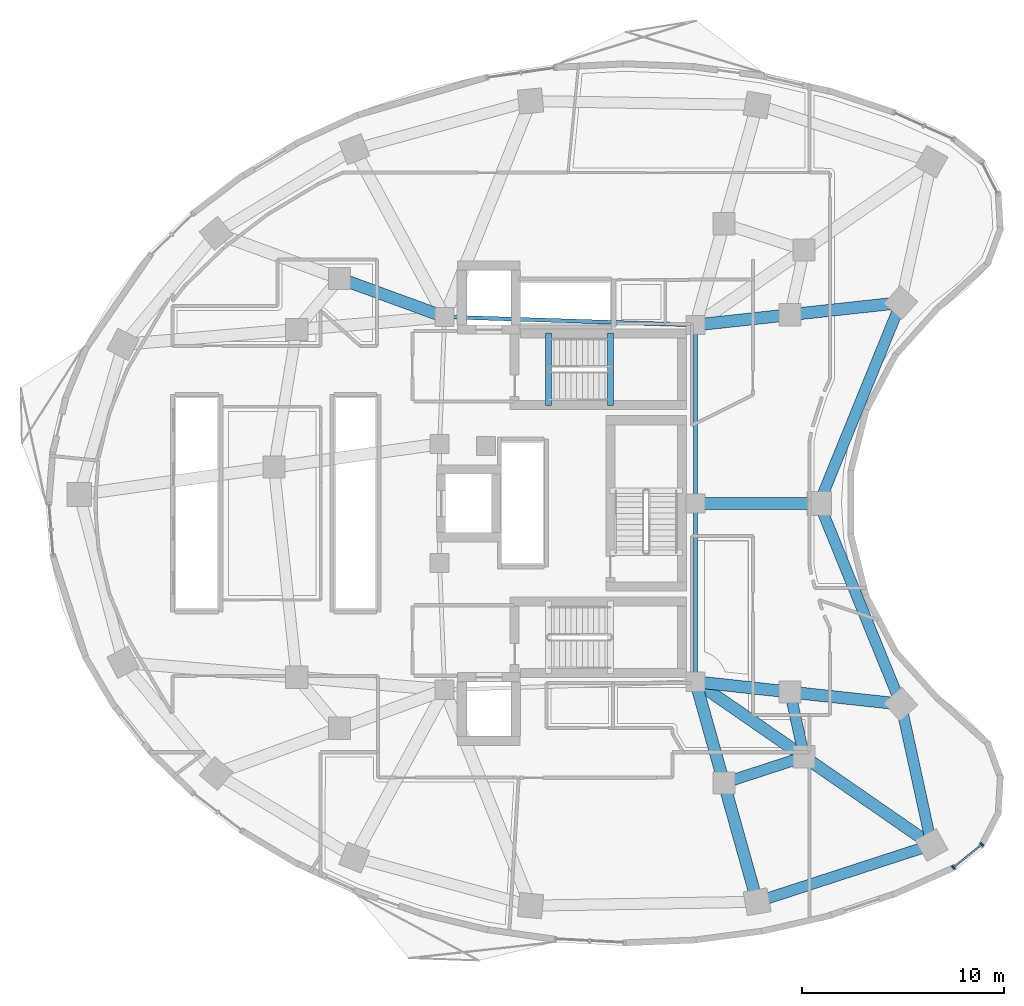
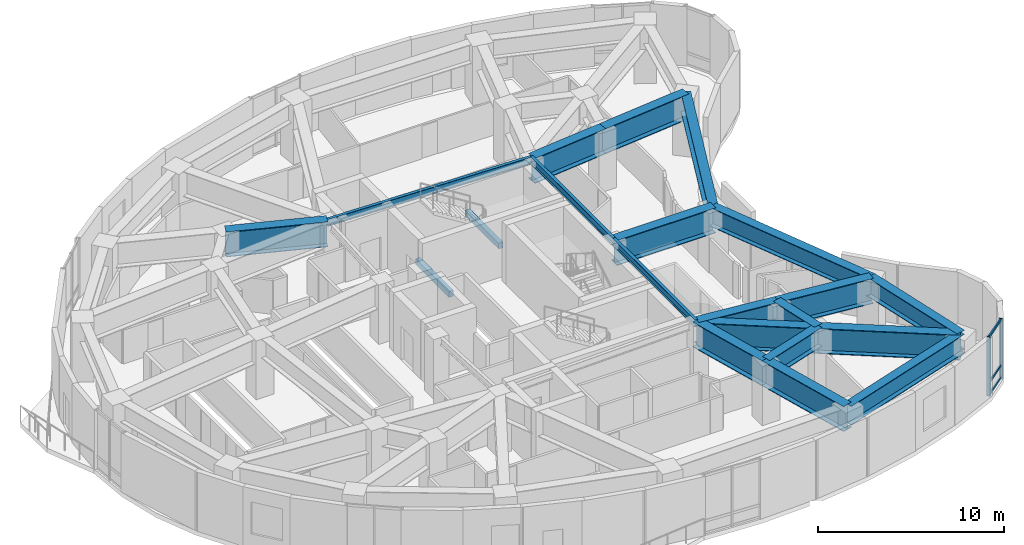
# One storey, part 3 of 13: 21 beams, 5 members, 1 element without a shape of its own.
"""IFC4 building model written with IfcOpenShell, lengths in metres."""

from ifc_helpers import new_model, si_unit, direction, frame, origin, origin_2d, place, context, subcontext, project, spatial, rectangle, i_section, extrude, material, layer, layer_set, material_profile, profile_set, type_object, element, aggregate, save


model = new_model("IFC4")

# Units and contexts
model_context = context("Model", 3, precision=1e-05, world=origin(), true_north=direction((0.0, 1.0)))
body_context = subcontext(model_context, "Body", "Model", "MODEL_VIEW")
ifc_project = project(units=[si_unit("LENGTHUNIT", "METRE"), si_unit("AREAUNIT", "SQUARE_METRE"), si_unit("VOLUMEUNIT", "CUBIC_METRE"), si_unit("PLANEANGLEUNIT", "RADIAN"), si_unit("MASSUNIT", "GRAM", prefix="KILO")], contexts=[model_context])

# Site, building, storey
site_placement = place(None, origin())
site = spatial("IfcSite", under=ifc_project, at=site_placement, CompositionType="ELEMENT")
building_placement = place(site_placement, origin())
building = spatial("IfcBuilding", under=site, at=building_placement, Name="Korentha Bioscience Tower", CompositionType="ELEMENT")
storey_placement = place(building_placement, frame((0.0, 0.0, 144.60009765625)))
storey = spatial("IfcBuildingStorey", under=building, at=storey_placement, Name="L33", CompositionType="ELEMENT", Elevation=144.60009765625)

# Beams
ifc_material_1 = material(Name="Concrete C50", Category="concrete")
ifc_material_profile_1 = material_profile(ifc_material_1, rectangle(XDim=0.280029296875, YDim=0.3798828125, at=origin_2d()), Name="Concrete C50")
ifc_profile_set_1 = profile_set([ifc_material_profile_1], Name="Concrete C50 (ST-HB380)")
beam_type_1 = type_object("IfcBeamType", Name="Concrete Stair Header Beam RC 280x380", PredefinedType="BEAM", material=ifc_profile_set_1)
for number, where, z_axis, x_axis, name in (
    (1, (30.25, 31.85009765625, -0.190185546875), (0.0, 1.0, 0.0), (-1.0, 0.0, 0.0), "L33 ST-1 Concrete Stair Header Beam"),
    (2, (33.330078125, 31.85009765625, 1.909912109375), (0.0, 1.0, 0.0), (-1.0, 0.0, 0.0), "L33 ST-1 Half-Landing Header Beam 1"),
):
    element("IfcBeam", number, at=place(storey_placement, frame(where, z_axis=z_axis, x_axis=x_axis)), inside=storey, type_object=beam_type_1, Name=name, PredefinedType="BEAM", context=body_context, shape_type="SweptSolid", body=[
        extrude(rectangle(XDim=0.280029296875, YDim=0.3798828125, at=origin_2d()), origin(), (0.0, 0.0, 1.0), 3.599853515625),
    ])
ifc_material_2 = material(Name="Steel S355", Category="steel")
ifc_material_profile_2 = material_profile(ifc_material_2, i_section(OverallWidth=0.550048828125, OverallDepth=1.25, WebThickness=0.02392578125, FlangeThickness=0.0400390625, at=origin_2d()), Name="Steel S355")
ifc_profile_set_2 = profile_set([ifc_material_profile_2], Name="Steel S355 (TG-03)")
beam_type_2 = type_object("IfcBeamType", Name="Crown Step Transfer Girder CVS 1250x510", PredefinedType="USERDEFINED", material=ifc_profile_set_2)
beam_1_placement = place(storey_placement, frame((38.954833984375, 13.129150390625, 3.2548828125), z_axis=(0.95087582253, 0.309572560361, 0.0), x_axis=(-0.309572560361, 0.95087582253, 0.0)))
element("IfcBeam", 3, at=beam_1_placement, inside=storey, type_object=beam_type_2, Name="L33 Mid-Ring Tie Girder 12", ObjectType="TRANSFER_GIRDER", PredefinedType="USERDEFINED", context=body_context, shape_type="SweptSolid", body=[
    extrude(i_section(OverallWidth=0.550048828125, OverallDepth=1.25, WebThickness=0.02392578125, FlangeThickness=0.0400390625, at=origin_2d()), origin(), (0.0, 0.0, 1.0), 4.186767578125),
])
beam_2_placement = place(storey_placement, frame((42.93603515625, 14.42529296875, 3.2548828125), z_axis=(-0.212928773299, 0.977067724112, 0.0), x_axis=(-0.977067724112, -0.212928773299, 0.0)))
element("IfcBeam", 4, at=beam_2_placement, inside=storey, type_object=beam_type_2, Name="L33 Mid-Ring Tie Girder 13", ObjectType="TRANSFER_GIRDER", PredefinedType="USERDEFINED", context=body_context, shape_type="SweptSolid", body=[
    extrude(i_section(OverallWidth=0.550048828125, OverallDepth=1.25, WebThickness=0.02392578125, FlangeThickness=0.0400390625, at=origin_2d()), origin(), (0.0, 0.0, 1.0), 3.28955078125),
])
beam_3_placement = place(storey_placement, frame((40.604248046875, 7.235107421875, 3.2548828125), z_axis=(0.950867758759, 0.309597327755, 0.0), x_axis=(-0.309597327755, 0.950867758759, 0.0)))
element("IfcBeam", 5, at=beam_3_placement, inside=storey, type_object=beam_type_2, Name="L33 Perimeter Spandrel Girder 12", ObjectType="TRANSFER_GIRDER", PredefinedType="USERDEFINED", context=body_context, shape_type="SweptSolid", body=[
    extrude(i_section(OverallWidth=0.550048828125, OverallDepth=1.25, WebThickness=0.02392578125, FlangeThickness=0.0400390625, at=origin_2d()), origin(), (0.0, 0.0, 1.0), 9.101806640625),
])
beam_4_placement = place(storey_placement, frame((49.2587890625, 10.052978515625, 3.2548828125), z_axis=(-0.212927102256, 0.977068088275, 0.0), x_axis=(-0.977068088275, -0.212927102256, 0.0)))
element("IfcBeam", 6, at=beam_4_placement, inside=storey, type_object=beam_type_2, Name="L33 Perimeter Spandrel Girder 13", ObjectType="TRANSFER_GIRDER", PredefinedType="USERDEFINED", context=body_context, shape_type="SweptSolid", body=[
    extrude(i_section(OverallWidth=0.550048828125, OverallDepth=1.25, WebThickness=0.02392578125, FlangeThickness=0.0400390625, at=origin_2d()), origin(), (0.0, 0.0, 1.0), 7.1513671875),
])
for number, where, z_axis, x_axis, name in (
    (7, (47.736083984375, 17.040283203125, 3.2548828125), (-0.37709856037, 0.926173134876, 0.0), (-0.926173134876, -0.37709856037, 0.0), "L33 Perimeter Spandrel Girder 14"),
    (8, (43.680908203125, 27.0, 3.2548828125), (0.37709856037, 0.926173134876, 0.0), (-0.926173134876, 0.37709856037, 0.0), "L33 Perimeter Spandrel Girder 15"),
):
    element("IfcBeam", number, at=place(storey_placement, frame(where, z_axis=z_axis, x_axis=x_axis)), inside=storey, type_object=beam_type_2, Name=name, ObjectType="TRANSFER_GIRDER", PredefinedType="USERDEFINED", context=body_context, shape_type="SweptSolid", body=[
        extrude(i_section(OverallWidth=0.550048828125, OverallDepth=1.25, WebThickness=0.02392578125, FlangeThickness=0.0400390625, at=origin_2d()), origin(), (0.0, 0.0, 1.0), 10.753662109375),
    ])
ifc_material_profile_3 = material_profile(ifc_material_2, i_section(OverallWidth=0.60009765625, OverallDepth=1.64990234375, WebThickness=0.02587890625, FlangeThickness=0.0439453125, at=origin_2d()), Name="Steel S355")
ifc_profile_set_3 = profile_set([ifc_material_profile_3], Name="Steel S355 (TG-04)")
beam_type_3 = type_object("IfcBeamType", Name="Deep Setback Transfer Girder CVS 1650x620", PredefinedType="USERDEFINED", material=ifc_profile_set_3)
beam_5_placement = place(storey_placement, frame((25.10009765625, 36.25, 3.054931640625), z_axis=(-0.939118010396, 0.343594765022, 0.0), x_axis=(-0.343594765022, -0.939118010396, 0.0)))
element("IfcBeam", 9, at=beam_5_placement, inside=storey, type_object=beam_type_3, Name="L33 Inner Radial Transfer Girder 05", ObjectType="TRANSFER_GIRDER", PredefinedType="USERDEFINED", context=body_context, shape_type="SweptSolid", body=[
    extrude(i_section(OverallWidth=0.60009765625, OverallDepth=1.64990234375, WebThickness=0.02587890625, FlangeThickness=0.0439453125, at=origin_2d()), origin(), (0.0, 0.0, 1.0), 5.5556640625),
])
beam_6_placement = place(storey_placement, frame((37.550048828125, 18.14990234375, 3.054931640625), z_axis=(0.269447542125, -0.96301506844, 0.0), x_axis=(0.96301506844, 0.269447542125, 0.0)))
element("IfcBeam", 10, at=beam_6_placement, inside=storey, type_object=beam_type_3, Name="L33 Inner Radial Transfer Girder 12", ObjectType="TRANSFER_GIRDER", PredefinedType="USERDEFINED", context=body_context, shape_type="SweptSolid", body=[
    extrude(i_section(OverallWidth=0.60009765625, OverallDepth=1.64990234375, WebThickness=0.02587890625, FlangeThickness=0.0439453125, at=origin_2d()), origin(), (0.0, 0.0, 1.0), 5.213623046875),
])
beam_7_placement = place(storey_placement, frame((38.954833984375, 13.129150390625, 3.054931640625), z_axis=(0.269490843458, -0.963002951861, 0.0), x_axis=(0.963002951861, 0.269490843458, 0.0)))
element("IfcBeam", 11, at=beam_7_placement, inside=storey, type_object=beam_type_3, Name="L33 Outer Radial Transfer Girder 12", ObjectType="TRANSFER_GIRDER", PredefinedType="USERDEFINED", context=body_context, shape_type="SweptSolid", body=[
    extrude(i_section(OverallWidth=0.60009765625, OverallDepth=1.64990234375, WebThickness=0.02587890625, FlangeThickness=0.0439453125, at=origin_2d()), origin(), (0.0, 0.0, 1.0), 6.120361328125),
])
beam_8_placement = place(storey_placement, frame((37.550048828125, 18.14990234375, 3.054931640625), z_axis=(0.822488699387, -0.568781451333, 0.0), x_axis=(0.568781451333, 0.822488699387, 0.0)))
element("IfcBeam", 12, at=beam_8_placement, inside=storey, type_object=beam_type_3, Name="L33 Inner Radial Transfer Girder 13", ObjectType="TRANSFER_GIRDER", PredefinedType="USERDEFINED", context=body_context, shape_type="SweptSolid", body=[
    extrude(i_section(OverallWidth=0.60009765625, OverallDepth=1.64990234375, WebThickness=0.02587890625, FlangeThickness=0.0439453125, at=origin_2d()), origin(), (0.0, 0.0, 1.0), 6.54833984375),
])
beam_9_placement = place(storey_placement, frame((42.93603515625, 14.42529296875, 3.054931640625), z_axis=(0.822495056204, -0.568772258922, 0.0), x_axis=(0.568772258922, 0.822495056204, 0.0)))
element("IfcBeam", 13, at=beam_9_placement, inside=storey, type_object=beam_type_3, Name="L33 Outer Radial Transfer Girder 13", ObjectType="TRANSFER_GIRDER", PredefinedType="USERDEFINED", context=body_context, shape_type="SweptSolid", body=[
    extrude(i_section(OverallWidth=0.60009765625, OverallDepth=1.64990234375, WebThickness=0.02587890625, FlangeThickness=0.0439453125, at=origin_2d()), origin(), (0.0, 0.0, 1.0), 7.687255859375),
])
beam_10_placement = place(storey_placement, frame((37.550048828125, 18.14990234375, 3.054931640625), z_axis=(0.994117092476, -0.108310694058, 0.0), x_axis=(0.108310694058, 0.994117092476, 0.0)))
element("IfcBeam", 14, at=beam_10_placement, inside=storey, type_object=beam_type_3, Name="L33 Inner Radial Transfer Girder 14", ObjectType="TRANSFER_GIRDER", PredefinedType="USERDEFINED", context=body_context, shape_type="SweptSolid", body=[
    extrude(i_section(OverallWidth=0.60009765625, OverallDepth=1.64990234375, WebThickness=0.02587890625, FlangeThickness=0.0439453125, at=origin_2d()), origin(), (0.0, 0.0, 1.0), 4.71337890625),
])
beam_11_placement = place(storey_placement, frame((42.235595703125, 17.639404296875, 3.054931640625), z_axis=(0.994120325557, -0.108281015487, 0.0), x_axis=(0.108281015487, 0.994120325557, 0.0)))
element("IfcBeam", 15, at=beam_11_placement, inside=storey, type_object=beam_type_3, Name="L33 Outer Radial Transfer Girder 14", ObjectType="TRANSFER_GIRDER", PredefinedType="USERDEFINED", context=body_context, shape_type="SweptSolid", body=[
    extrude(i_section(OverallWidth=0.60009765625, OverallDepth=1.64990234375, WebThickness=0.02587890625, FlangeThickness=0.0439453125, at=origin_2d()), origin(), (0.0, 0.0, 1.0), 5.532958984375),
])
beam_12_placement = place(storey_placement, frame((37.550048828125, 27.0, 3.054931640625), z_axis=(1.0, 0.0, 0.0), x_axis=(0.0, 1.0, 0.0)))
element("IfcBeam", 16, at=beam_12_placement, inside=storey, type_object=beam_type_3, Name="L33 Radial Transfer Girder 15", ObjectType="TRANSFER_GIRDER", PredefinedType="USERDEFINED", context=body_context, shape_type="SweptSolid", body=[
    extrude(i_section(OverallWidth=0.60009765625, OverallDepth=1.64990234375, WebThickness=0.02587890625, FlangeThickness=0.0439453125, at=origin_2d()), origin(), (0.0, 0.0, 1.0), 6.130859375),
])
beam_13_placement = place(storey_placement, frame((37.550048828125, 35.85009765625, 3.054931640625), z_axis=(0.994117092476, 0.108310694058, 0.0), x_axis=(-0.108310694058, 0.994117092476, 0.0)))
element("IfcBeam", 17, at=beam_13_placement, inside=storey, type_object=beam_type_3, Name="L33 Inner Radial Transfer Girder 16", ObjectType="TRANSFER_GIRDER", PredefinedType="USERDEFINED", context=body_context, shape_type="SweptSolid", body=[
    extrude(i_section(OverallWidth=0.60009765625, OverallDepth=1.64990234375, WebThickness=0.02587890625, FlangeThickness=0.0439453125, at=origin_2d()), origin(), (0.0, 0.0, 1.0), 4.71337890625),
])
beam_14_placement = place(storey_placement, frame((42.235595703125, 36.360595703125, 3.054931640625), z_axis=(0.994120325557, 0.108281015487, 0.0), x_axis=(-0.108281015487, 0.994120325557, 0.0)))
element("IfcBeam", 18, at=beam_14_placement, inside=storey, type_object=beam_type_3, Name="L33 Outer Radial Transfer Girder 16", ObjectType="TRANSFER_GIRDER", PredefinedType="USERDEFINED", context=body_context, shape_type="SweptSolid", body=[
    extrude(i_section(OverallWidth=0.60009765625, OverallDepth=1.64990234375, WebThickness=0.02587890625, FlangeThickness=0.0439453125, at=origin_2d()), origin(), (0.0, 0.0, 1.0), 5.532958984375),
])
ifc_material_profile_4 = material_profile(ifc_material_2, i_section(OverallWidth=0.18994140625, OverallDepth=0.45703125, WebThickness=0.009033203125, FlangeThickness=0.014404296875, at=origin_2d()), Name="Steel S355")
ifc_profile_set_4 = profile_set([ifc_material_profile_4], Name="Steel S355 (MB-460)")
beam_type_4 = type_object("IfcBeamType", Name="Mid-Ring Tie Girder W460x74", PredefinedType="BEAM", material=ifc_profile_set_4)
beam_15_placement = place(storey_placement, frame((37.550048828125, 35.85009765625, 3.6513671875), z_axis=(-0.999484526071, 0.032104238723, 0.0), x_axis=(-0.032104238723, -0.999484526071, 0.0)))
element("IfcBeam", 19, at=beam_15_placement, inside=storey, type_object=beam_type_4, Name="L33 Core Ring Tie Girder 01", PredefinedType="BEAM", context=body_context, shape_type="SweptSolid", body=[
    extrude(i_section(OverallWidth=0.18994140625, OverallDepth=0.45703125, WebThickness=0.009033203125, FlangeThickness=0.014404296875, at=origin_2d()), origin(), (0.0, 0.0, 1.0), 12.456298828125),
])
for number, where, z_axis, x_axis, name in (
    (20, (37.550048828125, 18.14990234375, 3.6513671875), (0.0, 1.0, 0.0), (-1.0, 0.0, 0.0), "L33 Core Ring Tie Girder 06"),
    (21, (37.550048828125, 27.0, 3.6513671875), (0.0, 1.0, 0.0), (-1.0, 0.0, 0.0), "L33 Core Ring Tie Girder 07"),
):
    element("IfcBeam", number, at=place(storey_placement, frame(where, z_axis=z_axis, x_axis=x_axis)), inside=storey, type_object=beam_type_4, Name=name, PredefinedType="BEAM", context=body_context, shape_type="SweptSolid", body=[
        extrude(i_section(OverallWidth=0.18994140625, OverallDepth=0.45703125, WebThickness=0.009033203125, FlangeThickness=0.014404296875, at=origin_2d()), origin(), (0.0, 0.0, 1.0), 8.85009765625),
    ])

# Curtain wall, members
ifc_material_3 = material(Name="Thermally Broken Aluminium Frame", Category="aluminium")
ifc_layer = layer(ifc_material_3, 0.219970703125, Name="Thermally Broken Aluminium Frame")
ifc_layer_set = layer_set([ifc_layer], Name="Thermally Broken Aluminium Frame (CW-T1)")
curtain_wall_type = type_object("IfcCurtainWallType", Name="Standard Bioscience Lab Unitised Curtain Wall CW-T1", PredefinedType="USERDEFINED", material=ifc_layer_set)
curtain_wall_placement = place(storey_placement, origin())
curtain_wall = element("IfcCurtainWall", 22, at=curtain_wall_placement, inside=storey, type_object=curtain_wall_type, Name="L33 Curtain Wall 37", ObjectType="UNITISED", PredefinedType="USERDEFINED")
ifc_material_4 = material(Name="Anodised Aluminium 6063-T6", Category="aluminium")
ifc_material_profile_5 = material_profile(ifc_material_4, rectangle(XDim=0.090087890625, YDim=0.199951171875, at=origin_2d()), Name="Anodised Aluminium 6063-T6")
ifc_profile_set_5 = profile_set([ifc_material_profile_5], Name="Anodised Aluminium 6063-T6 (CW-MUL)")
member_type_1 = type_object("IfcMemberType", Name="Mullion RECT 90x200", PredefinedType="MULLION", material=ifc_profile_set_5)
member_1_placement = place(storey_placement, frame((50.337158203125, 8.931884765625, 0.0), z_axis=(0.0, 0.0, 1.0), x_axis=(0.777315301098, 0.629111216463, 0.0)))
member_1 = element("IfcMember", 23, at=member_1_placement, type_object=member_type_1, Name="CW-L33-37 Mullion 1", PredefinedType="MULLION", context=body_context, shape_type="SweptSolid", body=[
    extrude(rectangle(XDim=0.090087890625, YDim=0.199951171875, at=origin_2d()), origin(), (0.0, 0.0, 1.0), 3.8798828125),
])
member_2_placement = place(storey_placement, frame((51.7578125, 10.08154296875, 0.0), z_axis=(0.0, 0.0, 1.0), x_axis=(0.777315301098, 0.629111216463, 0.0)))
member_2 = element("IfcMember", 24, at=member_2_placement, type_object=member_type_1, Name="CW-L33-37 Mullion 2", PredefinedType="MULLION", context=body_context, shape_type="SweptSolid", body=[
    extrude(rectangle(XDim=0.090087890625, YDim=0.199951171875, at=origin_2d()), origin(), (0.0, 0.0, 1.0), 3.8798828125),
])
ifc_material_profile_6 = material_profile(ifc_material_4, rectangle(XDim=0.090087890625, YDim=0.159912109375, at=origin_2d()), Name="Anodised Aluminium 6063-T6")
ifc_profile_set_6 = profile_set([ifc_material_profile_6], Name="Anodised Aluminium 6063-T6 (CW-TRN)")
member_type_2 = type_object("IfcMemberType", Name="Transom RECT 90x160", PredefinedType="USERDEFINED", material=ifc_profile_set_6)
member_3_placement = place(storey_placement, frame((50.3720703125, 8.960205078125, 0.044921875), z_axis=(0.777333214738, 0.629089082137, 0.0), x_axis=(-0.629089082137, 0.777333214738, 0.0)))
member_3 = element("IfcMember", 25, at=member_3_placement, type_object=member_type_2, Name="CW-L33-37 Bay 1 Transom 1", ObjectType="TRANSOM", PredefinedType="USERDEFINED", context=body_context, shape_type="SweptSolid", body=[
    extrude(rectangle(XDim=0.090087890625, YDim=0.159912109375, at=origin_2d()), origin(), (0.0, 0.0, 1.0), 1.737548828125),
])
member_4_placement = place(storey_placement, frame((50.3720703125, 8.960205078125, 0.849853515625), z_axis=(0.777333214738, 0.629089082137, 0.0), x_axis=(-0.629089082137, 0.777333214738, 0.0)))
member_4 = element("IfcMember", 26, at=member_4_placement, type_object=member_type_2, Name="CW-L33-37 Bay 1 Transom 2", ObjectType="TRANSOM", PredefinedType="USERDEFINED", context=body_context, shape_type="SweptSolid", body=[
    extrude(rectangle(XDim=0.090087890625, YDim=0.159912109375, at=origin_2d()), origin(), (0.0, 0.0, 1.0), 1.737548828125),
])
member_5_placement = place(storey_placement, frame((50.3720703125, 8.960205078125, 3.8349609375), z_axis=(0.777333214738, 0.629089082137, 0.0), x_axis=(-0.629089082137, 0.777333214738, 0.0)))
member_5 = element("IfcMember", 27, at=member_5_placement, type_object=member_type_2, Name="CW-L33-37 Bay 1 Transom 3", ObjectType="TRANSOM", PredefinedType="USERDEFINED", context=body_context, shape_type="SweptSolid", body=[
    extrude(rectangle(XDim=0.090087890625, YDim=0.159912109375, at=origin_2d()), origin(), (0.0, 0.0, 1.0), 1.737548828125),
])
aggregate(curtain_wall, [member_1, member_2, member_3, member_4, member_5])

save(model, "model.ifc")
